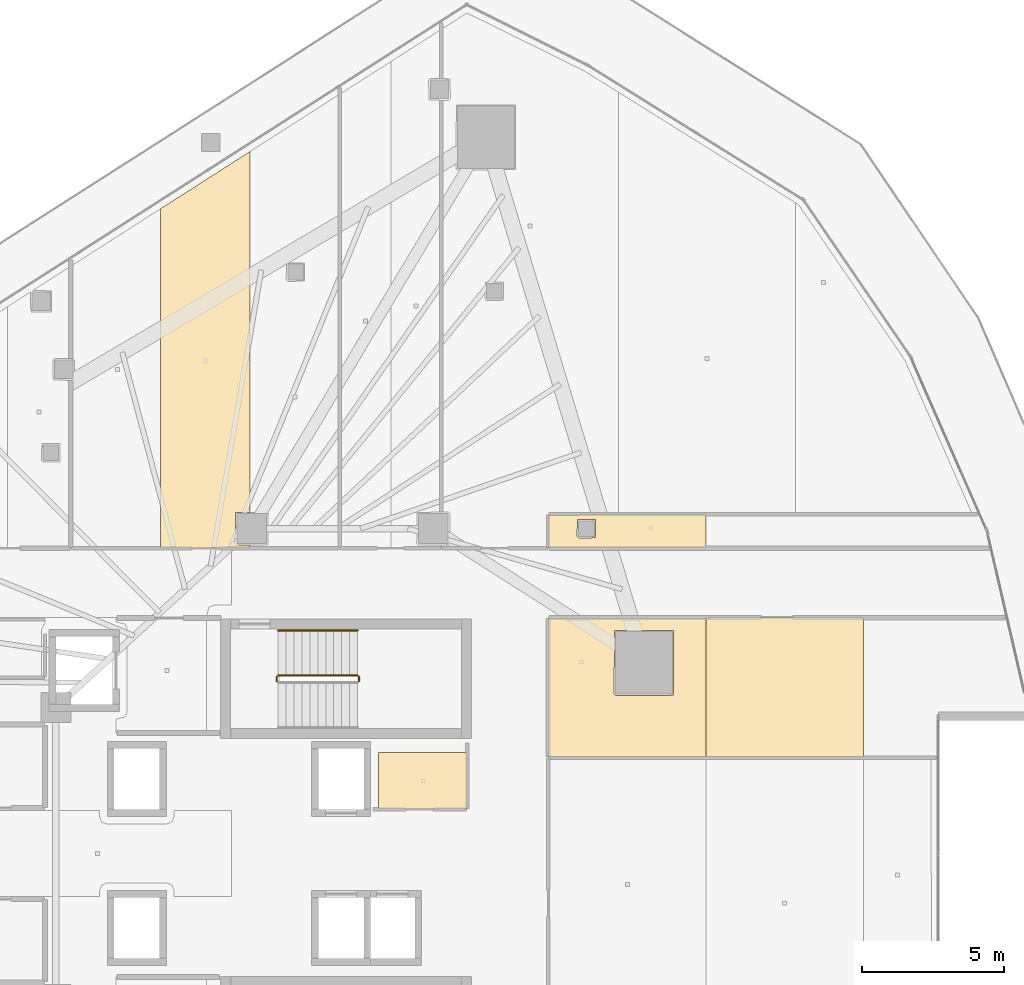
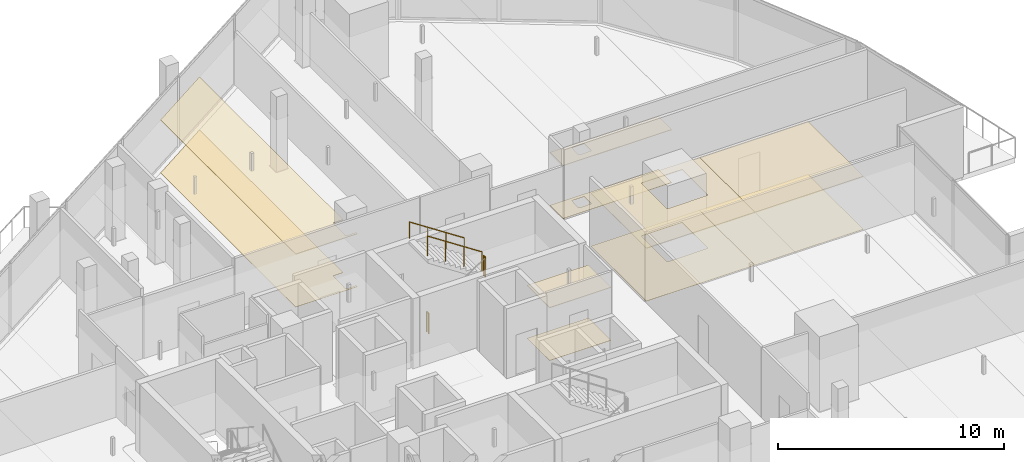
# One storey, part 38 of 39: 10 coverings, 4 railings.
"""IFC4 building model written with IfcOpenShell, lengths in metres."""

import ifcopenshell
import ifcopenshell.guid

model = None  # the IFC model being written
_history = None  # IfcOwnerHistory: only IFC2X3 demands one
_inside = {}  # id of a spatial element -> (the spatial element, [elements in it])
_under = {}  # id of a project, library or spatial element -> (it, [spatial elements below it])
_declared = {}  # id of a project -> (the project, [libraries it declares])
_typed = {}  # id of a type object -> (the type object, [elements of that type])
_made_of = {}  # id of a material, layer set ... -> (it, [elements and type objects made of it])


def new_model(schema):
    """Start an empty IFC model of exactly this schema.

    Asked for "IFC4X3", IfcOpenShell would pick the latest addendum, in which some entities
    have other attributes; the version numbers below select the first issue.
    IFC2X3 requires an IfcOwnerHistory on every rooted entity: one is made here for all.
    """
    global model, _history
    if schema == "IFC4X3":
        model = ifcopenshell.file(schema_version=(4, 3, 0, 0))
    else:
        model = ifcopenshell.file(schema=schema)
    _inside.clear()
    _under.clear()
    _declared.clear()
    _typed.clear()
    _made_of.clear()
    _history = None
    if model.schema == "IFC2X3":
        org = make("IfcOrganization", Name="unknown")
        user = make(
            "IfcPersonAndOrganization",
            ThePerson=make("IfcPerson", FamilyName="unknown"),
            TheOrganization=org,
        )
        app = make(
            "IfcApplication",
            ApplicationDeveloper=org,
            Version="unknown",
            ApplicationFullName="unknown",
            ApplicationIdentifier="unknown",
        )
        _history = make(
            "IfcOwnerHistory",
            OwningUser=user,
            OwningApplication=app,
            ChangeAction="ADDED",
            CreationDate=0,
        )
    return model


def make(cls, **values):
    """One entity of the class cls with the attributes given. An attribute that is None is left unset."""
    return model.create_entity(
        cls, **{name: value for name, value in values.items() if value is not None}
    )


def rooted(cls, **values):
    """An entity with a GlobalId (a new one), such as an element, a storey or a relation."""
    return make(cls, GlobalId=ifcopenshell.guid.new(), OwnerHistory=_history, **values)


def si_unit(unit_type, name, prefix=None):
    """IfcSIUnit, for example si_unit("LENGTHUNIT", "METRE", prefix="MILLI")."""
    return make("IfcSIUnit", UnitType=unit_type, Prefix=prefix, Name=name)


def assignment(units):
    """IfcUnitAssignment: the units of a project."""
    return None if units is None else make("IfcUnitAssignment", Units=units)


def point(xyz):
    """IfcCartesianPoint."""
    return None if xyz is None else make("IfcCartesianPoint", Coordinates=xyz)


def direction(xyz):
    """IfcDirection."""
    return None if xyz is None else make("IfcDirection", DirectionRatios=xyz)


def frame(location, z_axis=None, x_axis=None):
    """IfcAxis2Placement3D, a coordinate frame: its origin and axes. An axis left out is left unset."""
    return make(
        "IfcAxis2Placement3D",
        Location=point(location),
        Axis=direction(z_axis),
        RefDirection=direction(x_axis),
    )


def frame_2d(location, x_axis=None):
    """IfcAxis2Placement2D, a coordinate frame in the plane: its origin and x axis."""
    return make(
        "IfcAxis2Placement2D", Location=point(location), RefDirection=direction(x_axis)
    )


def origin():
    """The frame at (0, 0, 0) with its axes left unset."""
    return frame((0.0, 0.0, 0.0))


def origin_2d():
    """The frame at (0, 0) in the plane with its x axis left unset."""
    return frame_2d((0.0, 0.0))


def place(relative_to, where):
    """IfcLocalPlacement: puts the frame where relative to a parent placement (None: the world)."""
    return make(
        "IfcLocalPlacement", PlacementRelTo=relative_to, RelativePlacement=where
    )


def context(
    kind, dimensions, precision=None, world=None, true_north=None, identifier=None
):
    """IfcGeometricRepresentationContext, for example the 3D "Model" context."""
    return make(
        "IfcGeometricRepresentationContext",
        ContextIdentifier=identifier,
        ContextType=kind,
        CoordinateSpaceDimension=dimensions,
        Precision=precision,
        WorldCoordinateSystem=world,
        TrueNorth=true_north,
    )


def subcontext(parent, identifier, kind, view, scale=None):
    """IfcGeometricRepresentationSubContext, for example "Body" below "Model"."""
    return make(
        "IfcGeometricRepresentationSubContext",
        ContextIdentifier=identifier,
        ContextType=kind,
        ParentContext=parent,
        TargetScale=scale,
        TargetView=view,
    )


def project(units=None, contexts=None):
    """IfcProject with its units and contexts."""
    return rooted(
        "IfcProject",
        Name="project",
        RepresentationContexts=contexts,
        UnitsInContext=assignment(units),
    )


def spatial(cls, under=None, at=None, **own):
    """A site, building, storey or space (cls), placed at a placement, below another one or the project."""
    s = rooted(cls, ObjectPlacement=at, **own)
    if under is not None:
        _under.setdefault(under.id(), (under, []))[1].append(s)
    return s


def polyline(points):
    """IfcPolyline through the points."""
    return make("IfcPolyline", Points=[point(p) for p in points])


def profile(cls, at=None, kind="AREA", **sizes):
    """A parametric profile (cls). Its sizes go by their IFC names, for example OverallWidth=200.0."""
    return make(cls, ProfileType=kind, Position=at, **sizes)


def circle(**sizes):
    """IfcCircleProfileDef."""
    return profile("IfcCircleProfileDef", **sizes)


def outline(outer, holes=None, kind="AREA"):
    """IfcArbitraryClosedProfileDef: a profile drawn as a closed curve; with holes, ...WithVoids."""
    if holes is None:
        return make("IfcArbitraryClosedProfileDef", ProfileType=kind, OuterCurve=outer)
    return make(
        "IfcArbitraryProfileDefWithVoids",
        ProfileType=kind,
        OuterCurve=outer,
        InnerCurves=holes,
    )


def extrude(swept, where, along, depth):
    """IfcExtrudedAreaSolid: the profile swept, set in the frame where, extruded along a direction by depth."""
    return make(
        "IfcExtrudedAreaSolid",
        SweptArea=swept,
        Position=where,
        ExtrudedDirection=direction(along),
        Depth=depth,
    )


def shape(context_of_items, identifier, shape_type, items):
    """IfcShapeRepresentation: the items that make up one representation, for example the "Body"."""
    return make(
        "IfcShapeRepresentation",
        ContextOfItems=context_of_items,
        RepresentationIdentifier=identifier,
        RepresentationType=shape_type,
        Items=items,
    )


def material(Name=None, Category=None):
    """IfcMaterial."""
    return make("IfcMaterial", Name=Name, Category=Category)


def layer(
    of_material, thickness, ventilated=None, Name=None, Category=None, Priority=None
):
    """IfcMaterialLayer: one layer of a wall or slab, of a material (None: an air gap)."""
    return make(
        "IfcMaterialLayer",
        Material=of_material,
        LayerThickness=thickness,
        IsVentilated=ventilated,
        Name=Name,
        Category=Category,
        Priority=Priority,
    )


def layer_set(layers, Name=None):
    """IfcMaterialLayerSet."""
    return make("IfcMaterialLayerSet", MaterialLayers=layers, LayerSetName=Name)


def made_of(thing, what):
    """Note that an element or type object is made of a material, layer set ...; save() writes the relation."""
    if what is not None:
        _made_of.setdefault(what.id(), (what, []))[1].append(thing)
    return thing


def type_object(cls, material=None, **own):
    """A type object (cls), such as IfcWallType, which elements share."""
    return made_of(rooted(cls, **own), material)


def element(
    cls,
    number,
    at=None,
    inside=None,
    cuts=None,
    type_object=None,
    material=None,
    context=None,
    identifier="Body",
    shape_type=None,
    held_by="IfcProductDefinitionShape",
    body=None,
    shapes=None,
    **own,
):
    """One element of the class cls, such as IfcWall. Its Tag is "e" and its number.

    at: its placement. inside: the storey or other place that contains it. cuts: it is an
    opening in that element (IfcRelVoidsElement). A single representation is given by context,
    identifier, shape_type and body (its items); several are given by shapes. held_by: the class
    of the entity that holds the representations. save() writes the other relations.
    """
    e = rooted(cls, Tag="e%d" % number, ObjectPlacement=at, **own)
    if body is not None:
        shapes = [shape(context, identifier, shape_type, body)]
    if shapes is not None:
        e.Representation = make(held_by, Representations=shapes)
    if inside is not None:
        _inside.setdefault(inside.id(), (inside, []))[1].append(e)
    if cuts is not None:
        rooted(
            "IfcRelVoidsElement", RelatingBuildingElement=cuts, RelatedOpeningElement=e
        )
    if type_object is not None:
        _typed.setdefault(type_object.id(), (type_object, []))[1].append(e)
    return made_of(e, material)


def aggregate(whole, parts):
    """IfcRelAggregates: a whole, such as a stair, and the parts it consists of."""
    return rooted("IfcRelAggregates", RelatingObject=whole, RelatedObjects=parts)


def save(model, path):
    """Write the relations noted so far, then the file.

    IfcRelAggregates (storeys below a building ...), IfcRelContainedInSpatialStructure (elements
    in a storey), IfcRelDefinesByType, IfcRelAssociatesMaterial and IfcRelDeclares: one each for
    every whole, place, type object, material and project.
    """
    for whole, parts in _under.values():
        aggregate(whole, parts)
    for where, things in _inside.values():
        rooted(
            "IfcRelContainedInSpatialStructure",
            RelatedElements=things,
            RelatingStructure=where,
        )
    for kind, things in _typed.values():
        rooted("IfcRelDefinesByType", RelatedObjects=things, RelatingType=kind)
    for what, things in _made_of.values():
        rooted("IfcRelAssociatesMaterial", RelatedObjects=things, RelatingMaterial=what)
    for by, libraries in _declared.values():
        rooted("IfcRelDeclares", RelatingContext=by, RelatedDefinitions=libraries)
    model.write(path)


model = new_model("IFC4")

# Units and contexts
model_context = context("Model", 3, precision=1e-05, world=origin(), true_north=direction((0.0, 1.0)))
body_context = subcontext(model_context, "Body", "Model", "MODEL_VIEW")
ifc_project = project(units=[si_unit("LENGTHUNIT", "METRE"), si_unit("AREAUNIT", "SQUARE_METRE"), si_unit("VOLUMEUNIT", "CUBIC_METRE"), si_unit("PLANEANGLEUNIT", "RADIAN"), si_unit("MASSUNIT", "GRAM", prefix="KILO")], contexts=[model_context])

# Site, building, storey
site_placement = place(None, origin())
site = spatial("IfcSite", under=ifc_project, at=site_placement, CompositionType="ELEMENT")
building_placement = place(site_placement, origin())
building = spatial("IfcBuilding", under=site, at=building_placement, Name="Qorvath Tower", CompositionType="ELEMENT")
storey_placement = place(building_placement, frame((0.0, 0.0, 142.199951171875)))
storey = spatial("IfcBuildingStorey", under=building, at=storey_placement, Name="L32", CompositionType="ELEMENT", Elevation=142.199951171875)

# Coverings
ifc_material_1 = material(Name="Acoustic mineral fibre ceiling tile", Category="gypsum")
ifc_layer_1 = layer(ifc_material_1, 0.030029296875)
ifc_layer_set_1 = layer_set([ifc_layer_1], Name="COV-CEIL")
covering_type_1 = type_object("IfcCoveringType", Name="COV-CEIL", PredefinedType="CEILING", material=ifc_layer_set_1)
covering_1_placement = place(storey_placement, frame((0.0, 0.0, 2.85009765625)))
element("IfcCovering", 1, at=covering_1_placement, inside=storey, type_object=covering_type_1, Name="L32 Suspended Acoustic Ceiling 003", PredefinedType="CEILING", context=body_context, shape_type="SweptSolid", body=[
    extrude(outline(polyline([(-16.0048828125, 3.56005859375), (-19.139892578125, 3.56005859375), (-19.139892578125, 1.56494140625), (-16.0048828125, 1.56494140625), (-16.0048828125, 3.56005859375)])), origin(), (0.0, 0.0, 1.0), 0.030029296875),
])
covering_2_placement = place(storey_placement, frame((0.0, 0.0, 2.85009765625)))
element("IfcCovering", 2, at=covering_2_placement, inside=storey, type_object=covering_type_1, Name="L32 Suspended Acoustic Ceiling 014", PredefinedType="CEILING", context=body_context, shape_type="SweptSolid", body=[
    extrude(outline(polyline([(-23.658203125, 10.762939453125), (-23.658203125, 10.87255859375), (-24.125, 10.864990234375), (-24.18505859375, 10.925048828125), (-24.16748046875, 12.017333984375), (-23.658203125, 12.017333984375), (-23.658203125, 24.740478515625), (-26.81201171875, 22.72314453125), (-26.81201171875, 10.762939453125), (-23.658203125, 10.762939453125)])), origin(), (0.0, 0.0, 1.0), 0.030029296875),
])
covering_3_placement = place(storey_placement, frame((0.0, 0.0, 2.85009765625)))
element("IfcCovering", 3, at=covering_3_placement, inside=storey, type_object=covering_type_1, Name="L32 Suspended Acoustic Ceiling 035", PredefinedType="CEILING", context=body_context, shape_type="SweptSolid", body=[
    extrude(outline(polyline([(-7.589111328125, 3.395751953125), (-7.589111328125, 8.30908203125), (-13.136962890625, 8.306884765625), (-13.136962890625, 3.395751953125), (-7.589111328125, 3.395751953125)]), holes=[polyline([(-10.830322265625, 5.621337890625), (-10.812744140625, 7.86376953125), (-8.727783203125, 7.86376953125), (-8.727783203125, 5.578857421875), (-10.770263671875, 5.561279296875), (-10.830322265625, 5.621337890625)])]), origin(), (0.0, 0.0, 1.0), 0.030029296875),
])
covering_4_placement = place(storey_placement, frame((0.0, 0.0, 2.85009765625)))
element("IfcCovering", 4, at=covering_4_placement, inside=storey, type_object=covering_type_1, Name="L32 Suspended Acoustic Ceiling 036", PredefinedType="CEILING", context=body_context, shape_type="SweptSolid", body=[
    extrude(outline(polyline([(-7.589111328125, 10.762939453125), (-7.589111328125, 11.94287109375), (-13.136962890625, 11.938232421875), (-13.136962890625, 10.762939453125), (-7.589111328125, 10.762939453125)]), holes=[polyline([(-12.135009765625, 11.175048828125), (-12.117431640625, 11.767333984375), (-11.482666015625, 11.767333984375), (-11.482666015625, 11.132568359375), (-12.074951171875, 11.114990234375), (-12.135009765625, 11.175048828125)])]), origin(), (0.0, 0.0, 1.0), 0.030029296875),
])
covering_5_placement = place(storey_placement, frame((0.0, 0.0, 2.85009765625)))
element("IfcCovering", 5, at=covering_5_placement, inside=storey, type_object=covering_type_1, Name="L32 Suspended Acoustic Ceiling 037", PredefinedType="CEILING", context=body_context, shape_type="SweptSolid", body=[
    extrude(outline(polyline([(-2.041259765625, 3.395751953125), (-2.041259765625, 8.311279296875), (-7.589111328125, 8.30908203125), (-7.589111328125, 3.395751953125), (-2.041259765625, 3.395751953125)])), origin(), (0.0, 0.0, 1.0), 0.030029296875),
])
ifc_material_2 = material(Name="Low-VOC modular carpet tile", Category="textile")
ifc_layer_2 = layer(ifc_material_2, 0.014892578125)
ifc_layer_set_2 = layer_set([ifc_layer_2], Name="COV-FLOOR-CPT")
covering_type_2 = type_object("IfcCoveringType", Name="COV-FLOOR-CPT", PredefinedType="FLOORING", material=ifc_layer_set_2)
covering_6_placement = place(storey_placement, origin())
element("IfcCovering", 6, at=covering_6_placement, inside=storey, type_object=covering_type_2, Name="L32 Floor Finish 003", PredefinedType="FLOORING", context=body_context, shape_type="SweptSolid", body=[
    extrude(outline(polyline([(-16.0048828125, 3.56005859375), (-19.139892578125, 3.56005859375), (-19.139892578125, 1.56494140625), (-16.0048828125, 1.56494140625), (-16.0048828125, 3.56005859375)])), origin(), (0.0, 0.0, 1.0), 0.01513671875),
])
covering_7_placement = place(storey_placement, origin())
element("IfcCovering", 7, at=covering_7_placement, inside=storey, type_object=covering_type_2, Name="L32 Floor Finish 014", PredefinedType="FLOORING", context=body_context, shape_type="SweptSolid", body=[
    extrude(outline(polyline([(-23.658203125, 10.762939453125), (-23.658203125, 10.87255859375), (-24.125, 10.864990234375), (-24.18505859375, 10.925048828125), (-24.16748046875, 12.017333984375), (-23.658203125, 12.017333984375), (-23.658203125, 24.740478515625), (-26.81201171875, 22.72314453125), (-26.81201171875, 10.762939453125), (-23.658203125, 10.762939453125)])), origin(), (0.0, 0.0, 1.0), 0.01513671875),
])
covering_8_placement = place(storey_placement, origin())
element("IfcCovering", 8, at=covering_8_placement, inside=storey, type_object=covering_type_2, Name="L32 Floor Finish 035", PredefinedType="FLOORING", context=body_context, shape_type="SweptSolid", body=[
    extrude(outline(polyline([(-7.589111328125, 3.395751953125), (-7.589111328125, 8.30908203125), (-13.136962890625, 8.306884765625), (-13.136962890625, 3.395751953125), (-7.589111328125, 3.395751953125)]), holes=[polyline([(-10.830322265625, 5.621337890625), (-10.812744140625, 7.86376953125), (-8.727783203125, 7.86376953125), (-8.727783203125, 5.578857421875), (-10.770263671875, 5.561279296875), (-10.830322265625, 5.621337890625)])]), origin(), (0.0, 0.0, 1.0), 0.01513671875),
])
covering_9_placement = place(storey_placement, origin())
element("IfcCovering", 9, at=covering_9_placement, inside=storey, type_object=covering_type_2, Name="L32 Floor Finish 036", PredefinedType="FLOORING", context=body_context, shape_type="SweptSolid", body=[
    extrude(outline(polyline([(-7.589111328125, 10.762939453125), (-7.589111328125, 11.94287109375), (-13.136962890625, 11.938232421875), (-13.136962890625, 10.762939453125), (-7.589111328125, 10.762939453125)]), holes=[polyline([(-12.135009765625, 11.175048828125), (-12.117431640625, 11.767333984375), (-11.482666015625, 11.767333984375), (-11.482666015625, 11.132568359375), (-12.074951171875, 11.114990234375), (-12.135009765625, 11.175048828125)])]), origin(), (0.0, 0.0, 1.0), 0.01513671875),
])
covering_10_placement = place(storey_placement, origin())
element("IfcCovering", 10, at=covering_10_placement, inside=storey, type_object=covering_type_2, Name="L32 Floor Finish 037", PredefinedType="FLOORING", context=body_context, shape_type="SweptSolid", body=[
    extrude(outline(polyline([(-2.041259765625, 3.395751953125), (-2.041259765625, 8.311279296875), (-7.589111328125, 8.30908203125), (-7.589111328125, 3.395751953125), (-2.041259765625, 3.395751953125)])), origin(), (0.0, 0.0, 1.0), 0.01513671875),
])

# Railings
ifc_material_3 = material(Name="Painted galvanised steel", Category="steel")
railing_type_1 = type_object("IfcRailingType", Name="RL-STR-GRD", PredefinedType="GUARDRAIL", material=ifc_material_3)
railing_1_placement = place(storey_placement, frame((-19.820068359375, 6.080078125, 2.025146484375)))
element("IfcRailing", 11, at=railing_1_placement, inside=storey, type_object=railing_type_1, Name="L32 TS1 stair guard 2", PredefinedType="GUARDRAIL", context=body_context, shape_type="SweptSolid", body=[
    extrude(circle(Radius=0.02392578125, at=origin_2d()), frame((0.0, 0.0, 1.076171875), z_axis=(0.0, 1.0, 0.0), x_axis=(-1.0, 0.0, 0.0)), (0.0, 0.0, 1.0), 0.14990234375),
    extrude(circle(Radius=0.02099609375, at=origin_2d()), origin(), (0.0, 0.0, 1.0), 1.052001953125),
    extrude(circle(Radius=0.02099609375, at=origin_2d()), frame((0.0, 0.14990234375, 0.0)), (0.0, 0.0, 1.0), 1.052001953125),
])
railing_2_placement = place(storey_placement, frame((-19.8701171875, 6.280029296875, 2.209228515625)))
element("IfcRailing", 12, at=railing_2_placement, inside=storey, type_object=railing_type_1, Name="L32 TS1 stair guard 3", PredefinedType="GUARDRAIL", context=body_context, shape_type="SweptSolid", body=[
    extrude(circle(Radius=0.02392578125, at=origin_2d()), frame((0.0, 0.0, 1.076171875), z_axis=(-0.835575518608, 0.0, 0.549375602573), x_axis=(0.0, -1.0, 0.0)), (0.0, 0.0, 1.0), 3.350830078125),
    extrude(circle(Radius=0.02099609375, at=origin_2d()), origin(), (0.0, 0.0, 1.0), 1.052001953125),
    extrude(circle(Radius=0.02099609375, at=origin_2d()), frame((-0.933349609375, 0.0, 0.613525390625)), (0.0, 0.0, 1.0), 1.052001953125),
    extrude(circle(Radius=0.02099609375, at=origin_2d()), frame((-1.866455078125, 0.0, 1.227294921875)), (0.0, 0.0, 1.0), 1.052001953125),
    extrude(circle(Radius=0.02099609375, at=origin_2d()), frame((-2.7998046875, 0.0, 1.8408203125)), (0.0, 0.0, 1.0), 1.052001953125),
])
railing_3_placement = place(storey_placement, frame((-22.719970703125, 6.080078125, 0.0)))
element("IfcRailing", 13, at=railing_3_placement, inside=storey, type_object=railing_type_1, Name="L32 TS1 stair guard 4", PredefinedType="GUARDRAIL", context=body_context, shape_type="SweptSolid", body=[
    extrude(circle(Radius=0.02392578125, at=origin_2d()), frame((0.0, 0.0, 1.076171875), z_axis=(0.0, 1.0, 0.0), x_axis=(-1.0, 0.0, 0.0)), (0.0, 0.0, 1.0), 0.14990234375),
    extrude(circle(Radius=0.02099609375, at=origin_2d()), origin(), (0.0, 0.0, 1.0), 1.052001953125),
    extrude(circle(Radius=0.02099609375, at=origin_2d()), frame((0.0, 0.14990234375, 0.0)), (0.0, 0.0, 1.0), 1.052001953125),
])
ifc_material_4 = material(Name="Brushed stainless steel AISI 304", Category="steel")
railing_type_2 = type_object("IfcRailingType", Name="RL-STR-HND", PredefinedType="HANDRAIL", material=ifc_material_4)
railing_4_placement = place(storey_placement, frame((-19.8701171875, 7.860107421875, 2.209228515625)))
element("IfcRailing", 14, at=railing_4_placement, inside=storey, type_object=railing_type_2, Name="L32 TS1 stair handrail 2", PredefinedType="HANDRAIL", context=body_context, shape_type="SweptSolid", body=[
    extrude(circle(Radius=0.02392578125, at=origin_2d()), frame((0.0, 0.0, 0.8759765625), z_axis=(-0.835575518608, 0.0, 0.549375602573), x_axis=(0.0, -1.0, 0.0)), (0.0, 0.0, 1.0), 3.350830078125),
    extrude(circle(Radius=0.02099609375, at=origin_2d()), origin(), (0.0, 0.0, 1.0), 0.851806640625),
    extrude(circle(Radius=0.02099609375, at=origin_2d()), frame((-0.933349609375, 0.0, 0.613525390625)), (0.0, 0.0, 1.0), 0.851806640625),
    extrude(circle(Radius=0.02099609375, at=origin_2d()), frame((-1.866455078125, 0.0, 1.227294921875)), (0.0, 0.0, 1.0), 0.851806640625),
    extrude(circle(Radius=0.02099609375, at=origin_2d()), frame((-2.7998046875, 0.0, 1.8408203125)), (0.0, 0.0, 1.0), 0.851806640625),
])

save(model, "model.ifc")
